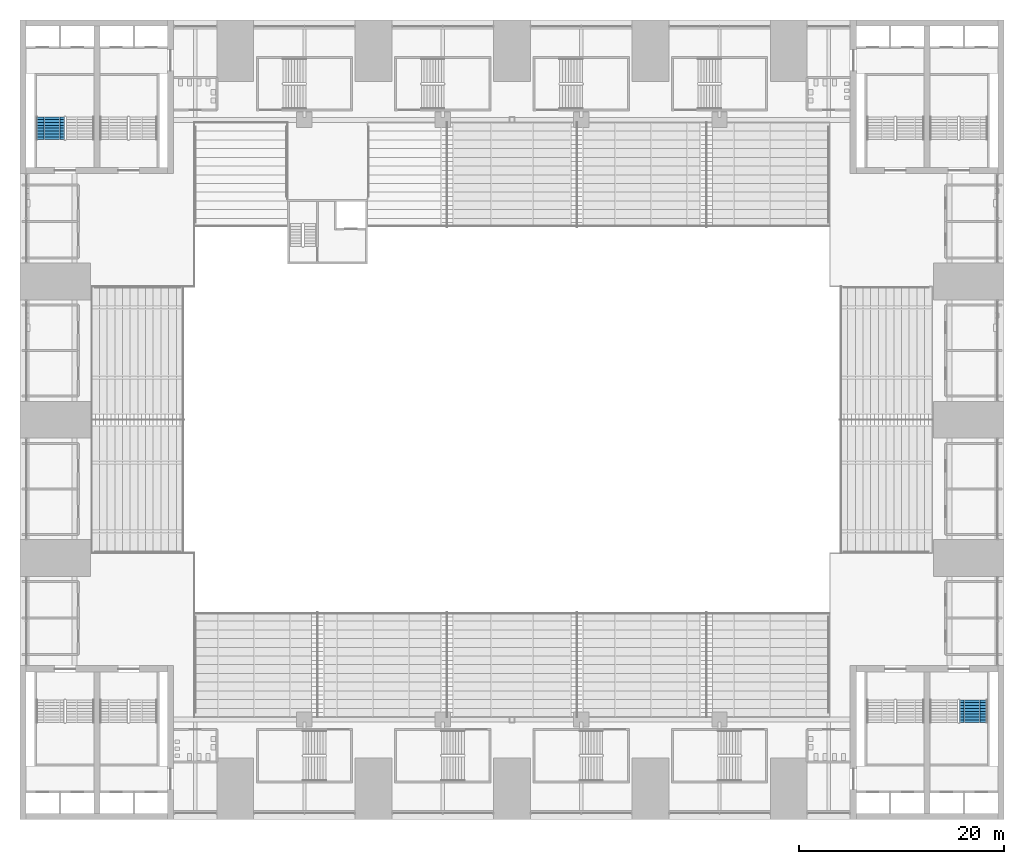
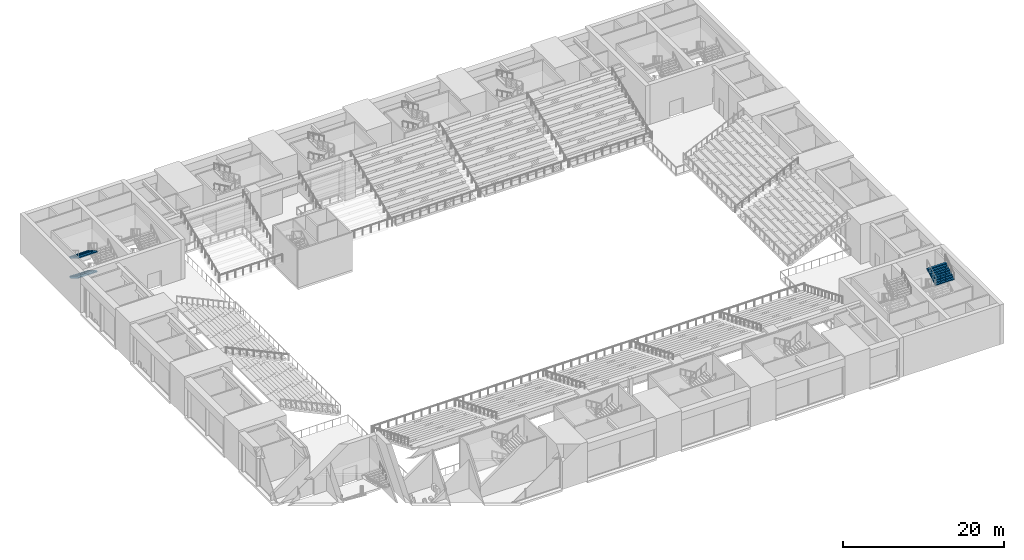
# One storey, part 42 of 61: 3 stair flights, 2 elements without a shape of their own.
"""IFC4 building model written with IfcOpenShell, lengths in metres."""

from ifc_helpers import new_model, si_unit, direction, frame, origin, place, context, subcontext, project, spatial, polyline, outline, extrude, material, type_object, element, aggregate, save


model = new_model("IFC4")

# Units and contexts
model_context = context("Model", 3, precision=1e-05, world=origin(), true_north=direction((0.0, 1.0)))
body_context = subcontext(model_context, "Body", "Model", "MODEL_VIEW")
ifc_project = project(units=[si_unit("LENGTHUNIT", "METRE"), si_unit("AREAUNIT", "SQUARE_METRE"), si_unit("VOLUMEUNIT", "CUBIC_METRE"), si_unit("PLANEANGLEUNIT", "RADIAN"), si_unit("MASSUNIT", "GRAM", prefix="KILO")], contexts=[model_context])

# Site, building, storey
site_placement = place(None, origin())
site = spatial("IfcSite", under=ifc_project, at=site_placement, CompositionType="ELEMENT")
building_placement = place(site_placement, origin())
building = spatial("IfcBuilding", under=site, at=building_placement, Name="Corbelhall Arena Tower", CompositionType="ELEMENT")
storey_placement = place(building_placement, frame((0.0, 0.0, 31.0)))
storey = spatial("IfcBuildingStorey", under=building, at=storey_placement, Name="L04", CompositionType="ELEMENT", Elevation=31.0)

# Stair, stair flights
ifc_material = material(Name="Reinforced concrete C40/50", Category="concrete")
stair_type = type_object("IfcStairType", Name="AR-EXIT-STAIR", PredefinedType="HALF_TURN_STAIR", material=ifc_material)
stair_1_placement = place(storey_placement, origin())
stair_1 = element("IfcStair", 1, at=stair_1_placement, inside=storey, type_object=stair_type, Name="L04 exit stair AS4", PredefinedType="HALF_TURN_STAIR")
stair_flight_type = type_object("IfcStairFlightType", Name="AR-EXIT-FLIGHT", PredefinedType="STRAIGHT", material=ifc_material)
stair_flight_1_placement = place(storey_placement, frame((-45.030029296875, 29.56005859375, 1.5), z_axis=(0.0, 0.0, 1.0), x_axis=(0.0, -1.0, 0.0)))
stair_flight_1 = element("IfcStairFlight", 2, at=stair_flight_1_placement, type_object=stair_flight_type, Name="AS4 flight 2", NumberOfRisers=9, NumberOfTreads=8, PredefinedType="STRAIGHT", RiserHeight=0.166666667, TreadLength=0.28, context=body_context, shape_type="SweptSolid", body=[
    extrude(outline(polyline([(0.0, 0.0), (0.0, 0.166748046875), (0.280029296875, 0.166748046875), (0.280029296875, 0.333251953125), (0.56005859375, 0.333251953125), (0.56005859375, 0.5), (0.840087890625, 0.5), (0.840087890625, 0.666748046875), (1.1201171875, 0.666748046875), (1.1201171875, 0.833251953125), (1.39990234375, 0.833251953125), (1.39990234375, 1.0), (1.679931640625, 1.0), (1.679931640625, 1.166748046875), (1.9599609375, 1.166748046875), (1.9599609375, 1.333251953125), (2.239990234375, 1.333251953125), (2.239990234375, 1.5), (2.239990234375, 1.158935546875), (0.29296875, 0.0), (0.0, 0.0)])), frame((0.0, 1.35986328125, 0.0), z_axis=(0.0, -1.0, 0.0), x_axis=(1.0, 0.0, 0.0)), (0.0, 0.0, 1.0), 0.449951171875),
    extrude(outline(polyline([(0.0, 0.0), (0.0, 0.166748046875), (0.280029296875, 0.166748046875), (0.280029296875, 0.333251953125), (0.56005859375, 0.333251953125), (0.56005859375, 0.5), (0.840087890625, 0.5), (0.840087890625, 0.666748046875), (1.1201171875, 0.666748046875), (1.1201171875, 0.833251953125), (1.39990234375, 0.833251953125), (1.39990234375, 1.0), (1.679931640625, 1.0), (1.679931640625, 1.166748046875), (1.9599609375, 1.166748046875), (1.9599609375, 1.333251953125), (2.239990234375, 1.333251953125), (2.239990234375, 1.5), (2.239990234375, 1.158935546875), (0.29296875, 0.0), (0.0, 0.0)])), frame((0.0, 0.906005859375, 0.0), z_axis=(0.0, -1.0, 0.0), x_axis=(1.0, 0.0, 0.0)), (0.0, 0.0, 1.0), 0.147216796875),
    extrude(outline(polyline([(0.0, 0.0), (0.0, 0.166748046875), (0.280029296875, 0.166748046875), (0.280029296875, 0.333251953125), (0.56005859375, 0.333251953125), (0.56005859375, 0.5), (0.840087890625, 0.5), (0.840087890625, 0.666748046875), (1.1201171875, 0.666748046875), (1.1201171875, 0.833251953125), (1.39990234375, 0.833251953125), (1.39990234375, 1.0), (1.679931640625, 1.0), (1.679931640625, 1.166748046875), (1.9599609375, 1.166748046875), (1.9599609375, 1.333251953125), (2.239990234375, 1.333251953125), (2.239990234375, 1.5), (2.239990234375, 1.158935546875), (0.29296875, 0.0), (0.0, 0.0)])), frame((0.0, 0.754638671875, 0.0), z_axis=(0.0, -1.0, 0.0), x_axis=(1.0, 0.0, 0.0)), (0.0, 0.0, 1.0), 0.147216796875),
    extrude(outline(polyline([(0.0, 0.0), (0.0, 0.166748046875), (0.280029296875, 0.166748046875), (0.280029296875, 0.333251953125), (0.56005859375, 0.333251953125), (0.56005859375, 0.5), (0.840087890625, 0.5), (0.840087890625, 0.666748046875), (1.1201171875, 0.666748046875), (1.1201171875, 0.833251953125), (1.39990234375, 0.833251953125), (1.39990234375, 1.0), (1.679931640625, 1.0), (1.679931640625, 1.166748046875), (1.9599609375, 1.166748046875), (1.9599609375, 1.333251953125), (2.239990234375, 1.333251953125), (2.239990234375, 1.5), (2.239990234375, 1.158935546875), (0.29296875, 0.0), (0.0, 0.0)])), frame((0.0, 0.603271484375, 0.0), z_axis=(0.0, -1.0, 0.0), x_axis=(1.0, 0.0, 0.0)), (0.0, 0.0, 1.0), 0.147216796875),
    extrude(outline(polyline([(0.0, 0.0), (0.0, 0.166748046875), (0.280029296875, 0.166748046875), (0.280029296875, 0.333251953125), (0.56005859375, 0.333251953125), (0.56005859375, 0.5), (0.840087890625, 0.5), (0.840087890625, 0.666748046875), (1.1201171875, 0.666748046875), (1.1201171875, 0.833251953125), (1.39990234375, 0.833251953125), (1.39990234375, 1.0), (1.679931640625, 1.0), (1.679931640625, 1.166748046875), (1.9599609375, 1.166748046875), (1.9599609375, 1.333251953125), (2.239990234375, 1.333251953125), (2.239990234375, 1.5), (2.239990234375, 1.158935546875), (0.29296875, 0.0), (0.0, 0.0)])), frame((0.0, 0.451904296875, 0.0), z_axis=(0.0, -1.0, 0.0), x_axis=(1.0, 0.0, 0.0)), (0.0, 0.0, 1.0), 0.147216796875),
    extrude(outline(polyline([(0.0, 0.0), (0.0, 0.166748046875), (0.280029296875, 0.166748046875), (0.280029296875, 0.333251953125), (0.56005859375, 0.333251953125), (0.56005859375, 0.5), (0.840087890625, 0.5), (0.840087890625, 0.666748046875), (1.1201171875, 0.666748046875), (1.1201171875, 0.833251953125), (1.39990234375, 0.833251953125), (1.39990234375, 1.0), (1.679931640625, 1.0), (1.679931640625, 1.166748046875), (1.9599609375, 1.166748046875), (1.9599609375, 1.333251953125), (2.239990234375, 1.333251953125), (2.239990234375, 1.5), (2.239990234375, 1.158935546875), (0.29296875, 0.0), (0.0, 0.0)])), frame((0.0, 0.30078125, 0.0), z_axis=(0.0, -1.0, 0.0), x_axis=(1.0, 0.0, 0.0)), (0.0, 0.0, 1.0), 0.147216796875),
    extrude(outline(polyline([(0.0, 0.0), (0.0, 0.166748046875), (0.280029296875, 0.166748046875), (0.280029296875, 0.333251953125), (0.56005859375, 0.333251953125), (0.56005859375, 0.5), (0.840087890625, 0.5), (0.840087890625, 0.666748046875), (1.1201171875, 0.666748046875), (1.1201171875, 0.833251953125), (1.39990234375, 0.833251953125), (1.39990234375, 1.0), (1.679931640625, 1.0), (1.679931640625, 1.166748046875), (1.9599609375, 1.166748046875), (1.9599609375, 1.333251953125), (2.239990234375, 1.333251953125), (2.239990234375, 1.5), (2.239990234375, 1.158935546875), (0.29296875, 0.0), (0.0, 0.0)])), frame((0.0, 0.1494140625, 0.0), z_axis=(0.0, -1.0, 0.0), x_axis=(1.0, 0.0, 0.0)), (0.0, 0.0, 1.0), 0.147216796875),
    extrude(outline(polyline([(0.0, 0.0), (0.0, 0.166748046875), (0.280029296875, 0.166748046875), (0.280029296875, 0.333251953125), (0.56005859375, 0.333251953125), (0.56005859375, 0.5), (0.840087890625, 0.5), (0.840087890625, 0.666748046875), (1.1201171875, 0.666748046875), (1.1201171875, 0.833251953125), (1.39990234375, 0.833251953125), (1.39990234375, 1.0), (1.679931640625, 1.0), (1.679931640625, 1.166748046875), (1.9599609375, 1.166748046875), (1.9599609375, 1.333251953125), (2.239990234375, 1.333251953125), (2.239990234375, 1.5), (2.239990234375, 1.158935546875), (0.29296875, 0.0), (0.0, 0.0)])), frame((0.0, -0.001953125, 0.0), z_axis=(0.0, -1.0, 0.0), x_axis=(1.0, 0.0, 0.0)), (0.0, 0.0, 1.0), 0.147216796875),
    extrude(outline(polyline([(0.0, 0.0), (0.0, 0.166748046875), (0.280029296875, 0.166748046875), (0.280029296875, 0.333251953125), (0.56005859375, 0.333251953125), (0.56005859375, 0.5), (0.840087890625, 0.5), (0.840087890625, 0.666748046875), (1.1201171875, 0.666748046875), (1.1201171875, 0.833251953125), (1.39990234375, 0.833251953125), (1.39990234375, 1.0), (1.679931640625, 1.0), (1.679931640625, 1.166748046875), (1.9599609375, 1.166748046875), (1.9599609375, 1.333251953125), (2.239990234375, 1.333251953125), (2.239990234375, 1.5), (2.239990234375, 1.158935546875), (0.29296875, 0.0), (0.0, 0.0)])), frame((0.0, -0.1533203125, 0.0), z_axis=(0.0, -1.0, 0.0), x_axis=(1.0, 0.0, 0.0)), (0.0, 0.0, 1.0), 0.147216796875),
    extrude(outline(polyline([(0.0, 0.0), (0.0, 0.166748046875), (0.280029296875, 0.166748046875), (0.280029296875, 0.333251953125), (0.56005859375, 0.333251953125), (0.56005859375, 0.5), (0.840087890625, 0.5), (0.840087890625, 0.666748046875), (1.1201171875, 0.666748046875), (1.1201171875, 0.833251953125), (1.39990234375, 0.833251953125), (1.39990234375, 1.0), (1.679931640625, 1.0), (1.679931640625, 1.166748046875), (1.9599609375, 1.166748046875), (1.9599609375, 1.333251953125), (2.239990234375, 1.333251953125), (2.239990234375, 1.5), (2.239990234375, 1.158935546875), (0.29296875, 0.0), (0.0, 0.0)])), frame((0.0, -0.3046875, 0.0), z_axis=(0.0, -1.0, 0.0), x_axis=(1.0, 0.0, 0.0)), (0.0, 0.0, 1.0), 0.147216796875),
    extrude(outline(polyline([(0.0, 0.0), (0.0, 0.166748046875), (0.280029296875, 0.166748046875), (0.280029296875, 0.333251953125), (0.56005859375, 0.333251953125), (0.56005859375, 0.5), (0.840087890625, 0.5), (0.840087890625, 0.666748046875), (1.1201171875, 0.666748046875), (1.1201171875, 0.833251953125), (1.39990234375, 0.833251953125), (1.39990234375, 1.0), (1.679931640625, 1.0), (1.679931640625, 1.166748046875), (1.9599609375, 1.166748046875), (1.9599609375, 1.333251953125), (2.239990234375, 1.333251953125), (2.239990234375, 1.5), (2.239990234375, 1.158935546875), (0.29296875, 0.0), (0.0, 0.0)])), frame((0.0, -0.4560546875, 0.0), z_axis=(0.0, -1.0, 0.0), x_axis=(1.0, 0.0, 0.0)), (0.0, 0.0, 1.0), 0.147216796875),
    extrude(outline(polyline([(0.0, 0.0), (0.0, 0.166748046875), (0.280029296875, 0.166748046875), (0.280029296875, 0.333251953125), (0.56005859375, 0.333251953125), (0.56005859375, 0.5), (0.840087890625, 0.5), (0.840087890625, 0.666748046875), (1.1201171875, 0.666748046875), (1.1201171875, 0.833251953125), (1.39990234375, 0.833251953125), (1.39990234375, 1.0), (1.679931640625, 1.0), (1.679931640625, 1.166748046875), (1.9599609375, 1.166748046875), (1.9599609375, 1.333251953125), (2.239990234375, 1.333251953125), (2.239990234375, 1.5), (2.239990234375, 1.158935546875), (0.29296875, 0.0), (0.0, 0.0)])), frame((0.0, -0.607421875, 0.0), z_axis=(0.0, -1.0, 0.0), x_axis=(1.0, 0.0, 0.0)), (0.0, 0.0, 1.0), 0.147216796875),
    extrude(outline(polyline([(0.0, 0.0), (0.0, 0.166748046875), (0.280029296875, 0.166748046875), (0.280029296875, 0.333251953125), (0.56005859375, 0.333251953125), (0.56005859375, 0.5), (0.840087890625, 0.5), (0.840087890625, 0.666748046875), (1.1201171875, 0.666748046875), (1.1201171875, 0.833251953125), (1.39990234375, 0.833251953125), (1.39990234375, 1.0), (1.679931640625, 1.0), (1.679931640625, 1.166748046875), (1.9599609375, 1.166748046875), (1.9599609375, 1.333251953125), (2.239990234375, 1.333251953125), (2.239990234375, 1.5), (2.239990234375, 1.158935546875), (0.29296875, 0.0), (0.0, 0.0)])), frame((0.0, -0.758544921875, 0.0), z_axis=(0.0, -1.0, 0.0), x_axis=(1.0, 0.0, 0.0)), (0.0, 0.0, 1.0), 0.147216796875),
    extrude(outline(polyline([(0.0, 0.0), (0.0, 0.166748046875), (0.280029296875, 0.166748046875), (0.280029296875, 0.333251953125), (0.56005859375, 0.333251953125), (0.56005859375, 0.5), (0.840087890625, 0.5), (0.840087890625, 0.666748046875), (1.1201171875, 0.666748046875), (1.1201171875, 0.833251953125), (1.39990234375, 0.833251953125), (1.39990234375, 1.0), (1.679931640625, 1.0), (1.679931640625, 1.166748046875), (1.9599609375, 1.166748046875), (1.9599609375, 1.333251953125), (2.239990234375, 1.333251953125), (2.239990234375, 1.5), (2.239990234375, 1.158935546875), (0.29296875, 0.0), (0.0, 0.0)])), frame((0.0, -0.909912109375, 0.0), z_axis=(0.0, -1.0, 0.0), x_axis=(1.0, 0.0, 0.0)), (0.0, 0.0, 1.0), 0.449951171875),
])
stair_flight_2_placement = place(storey_placement, frame((-45.030029296875, 29.56005859375, 4.5), z_axis=(0.0, 0.0, 1.0), x_axis=(0.0, -1.0, 0.0)))
stair_flight_2 = element("IfcStairFlight", 3, at=stair_flight_2_placement, type_object=stair_flight_type, Name="AS4 flight 4", NumberOfRisers=9, NumberOfTreads=8, PredefinedType="STRAIGHT", RiserHeight=0.166666667, TreadLength=0.28, context=body_context, shape_type="SweptSolid", body=[
    extrude(outline(polyline([(0.0, 0.0), (0.0, 0.166748046875), (0.280029296875, 0.166748046875), (0.280029296875, 0.333251953125), (0.56005859375, 0.333251953125), (0.56005859375, 0.5), (0.840087890625, 0.5), (0.840087890625, 0.666748046875), (1.1201171875, 0.666748046875), (1.1201171875, 0.833251953125), (1.39990234375, 0.833251953125), (1.39990234375, 1.0), (1.679931640625, 1.0), (1.679931640625, 1.166748046875), (1.9599609375, 1.166748046875), (1.9599609375, 1.333251953125), (2.239990234375, 1.333251953125), (2.239990234375, 1.5), (2.239990234375, 1.158935546875), (0.29296875, 0.0), (0.0, 0.0)])), frame((0.0, 1.35986328125, 0.0), z_axis=(0.0, -1.0, 0.0), x_axis=(1.0, 0.0, 0.0)), (0.0, 0.0, 1.0), 0.449951171875),
    extrude(outline(polyline([(0.0, 0.0), (0.0, 0.166748046875), (0.280029296875, 0.166748046875), (0.280029296875, 0.333251953125), (0.56005859375, 0.333251953125), (0.56005859375, 0.5), (0.840087890625, 0.5), (0.840087890625, 0.666748046875), (1.1201171875, 0.666748046875), (1.1201171875, 0.833251953125), (1.39990234375, 0.833251953125), (1.39990234375, 1.0), (1.679931640625, 1.0), (1.679931640625, 1.166748046875), (1.9599609375, 1.166748046875), (1.9599609375, 1.333251953125), (2.239990234375, 1.333251953125), (2.239990234375, 1.5), (2.239990234375, 1.158935546875), (0.29296875, 0.0), (0.0, 0.0)])), frame((0.0, 0.906005859375, 0.0), z_axis=(0.0, -1.0, 0.0), x_axis=(1.0, 0.0, 0.0)), (0.0, 0.0, 1.0), 0.147216796875),
    extrude(outline(polyline([(0.0, 0.0), (0.0, 0.166748046875), (0.280029296875, 0.166748046875), (0.280029296875, 0.333251953125), (0.56005859375, 0.333251953125), (0.56005859375, 0.5), (0.840087890625, 0.5), (0.840087890625, 0.666748046875), (1.1201171875, 0.666748046875), (1.1201171875, 0.833251953125), (1.39990234375, 0.833251953125), (1.39990234375, 1.0), (1.679931640625, 1.0), (1.679931640625, 1.166748046875), (1.9599609375, 1.166748046875), (1.9599609375, 1.333251953125), (2.239990234375, 1.333251953125), (2.239990234375, 1.5), (2.239990234375, 1.158935546875), (0.29296875, 0.0), (0.0, 0.0)])), frame((0.0, 0.754638671875, 0.0), z_axis=(0.0, -1.0, 0.0), x_axis=(1.0, 0.0, 0.0)), (0.0, 0.0, 1.0), 0.147216796875),
    extrude(outline(polyline([(0.0, 0.0), (0.0, 0.166748046875), (0.280029296875, 0.166748046875), (0.280029296875, 0.333251953125), (0.56005859375, 0.333251953125), (0.56005859375, 0.5), (0.840087890625, 0.5), (0.840087890625, 0.666748046875), (1.1201171875, 0.666748046875), (1.1201171875, 0.833251953125), (1.39990234375, 0.833251953125), (1.39990234375, 1.0), (1.679931640625, 1.0), (1.679931640625, 1.166748046875), (1.9599609375, 1.166748046875), (1.9599609375, 1.333251953125), (2.239990234375, 1.333251953125), (2.239990234375, 1.5), (2.239990234375, 1.158935546875), (0.29296875, 0.0), (0.0, 0.0)])), frame((0.0, 0.603271484375, 0.0), z_axis=(0.0, -1.0, 0.0), x_axis=(1.0, 0.0, 0.0)), (0.0, 0.0, 1.0), 0.147216796875),
    extrude(outline(polyline([(0.0, 0.0), (0.0, 0.166748046875), (0.280029296875, 0.166748046875), (0.280029296875, 0.333251953125), (0.56005859375, 0.333251953125), (0.56005859375, 0.5), (0.840087890625, 0.5), (0.840087890625, 0.666748046875), (1.1201171875, 0.666748046875), (1.1201171875, 0.833251953125), (1.39990234375, 0.833251953125), (1.39990234375, 1.0), (1.679931640625, 1.0), (1.679931640625, 1.166748046875), (1.9599609375, 1.166748046875), (1.9599609375, 1.333251953125), (2.239990234375, 1.333251953125), (2.239990234375, 1.5), (2.239990234375, 1.158935546875), (0.29296875, 0.0), (0.0, 0.0)])), frame((0.0, 0.451904296875, 0.0), z_axis=(0.0, -1.0, 0.0), x_axis=(1.0, 0.0, 0.0)), (0.0, 0.0, 1.0), 0.147216796875),
    extrude(outline(polyline([(0.0, 0.0), (0.0, 0.166748046875), (0.280029296875, 0.166748046875), (0.280029296875, 0.333251953125), (0.56005859375, 0.333251953125), (0.56005859375, 0.5), (0.840087890625, 0.5), (0.840087890625, 0.666748046875), (1.1201171875, 0.666748046875), (1.1201171875, 0.833251953125), (1.39990234375, 0.833251953125), (1.39990234375, 1.0), (1.679931640625, 1.0), (1.679931640625, 1.166748046875), (1.9599609375, 1.166748046875), (1.9599609375, 1.333251953125), (2.239990234375, 1.333251953125), (2.239990234375, 1.5), (2.239990234375, 1.158935546875), (0.29296875, 0.0), (0.0, 0.0)])), frame((0.0, 0.30078125, 0.0), z_axis=(0.0, -1.0, 0.0), x_axis=(1.0, 0.0, 0.0)), (0.0, 0.0, 1.0), 0.147216796875),
    extrude(outline(polyline([(0.0, 0.0), (0.0, 0.166748046875), (0.280029296875, 0.166748046875), (0.280029296875, 0.333251953125), (0.56005859375, 0.333251953125), (0.56005859375, 0.5), (0.840087890625, 0.5), (0.840087890625, 0.666748046875), (1.1201171875, 0.666748046875), (1.1201171875, 0.833251953125), (1.39990234375, 0.833251953125), (1.39990234375, 1.0), (1.679931640625, 1.0), (1.679931640625, 1.166748046875), (1.9599609375, 1.166748046875), (1.9599609375, 1.333251953125), (2.239990234375, 1.333251953125), (2.239990234375, 1.5), (2.239990234375, 1.158935546875), (0.29296875, 0.0), (0.0, 0.0)])), frame((0.0, 0.1494140625, 0.0), z_axis=(0.0, -1.0, 0.0), x_axis=(1.0, 0.0, 0.0)), (0.0, 0.0, 1.0), 0.147216796875),
    extrude(outline(polyline([(0.0, 0.0), (0.0, 0.166748046875), (0.280029296875, 0.166748046875), (0.280029296875, 0.333251953125), (0.56005859375, 0.333251953125), (0.56005859375, 0.5), (0.840087890625, 0.5), (0.840087890625, 0.666748046875), (1.1201171875, 0.666748046875), (1.1201171875, 0.833251953125), (1.39990234375, 0.833251953125), (1.39990234375, 1.0), (1.679931640625, 1.0), (1.679931640625, 1.166748046875), (1.9599609375, 1.166748046875), (1.9599609375, 1.333251953125), (2.239990234375, 1.333251953125), (2.239990234375, 1.5), (2.239990234375, 1.158935546875), (0.29296875, 0.0), (0.0, 0.0)])), frame((0.0, -0.001953125, 0.0), z_axis=(0.0, -1.0, 0.0), x_axis=(1.0, 0.0, 0.0)), (0.0, 0.0, 1.0), 0.147216796875),
    extrude(outline(polyline([(0.0, 0.0), (0.0, 0.166748046875), (0.280029296875, 0.166748046875), (0.280029296875, 0.333251953125), (0.56005859375, 0.333251953125), (0.56005859375, 0.5), (0.840087890625, 0.5), (0.840087890625, 0.666748046875), (1.1201171875, 0.666748046875), (1.1201171875, 0.833251953125), (1.39990234375, 0.833251953125), (1.39990234375, 1.0), (1.679931640625, 1.0), (1.679931640625, 1.166748046875), (1.9599609375, 1.166748046875), (1.9599609375, 1.333251953125), (2.239990234375, 1.333251953125), (2.239990234375, 1.5), (2.239990234375, 1.158935546875), (0.29296875, 0.0), (0.0, 0.0)])), frame((0.0, -0.1533203125, 0.0), z_axis=(0.0, -1.0, 0.0), x_axis=(1.0, 0.0, 0.0)), (0.0, 0.0, 1.0), 0.147216796875),
    extrude(outline(polyline([(0.0, 0.0), (0.0, 0.166748046875), (0.280029296875, 0.166748046875), (0.280029296875, 0.333251953125), (0.56005859375, 0.333251953125), (0.56005859375, 0.5), (0.840087890625, 0.5), (0.840087890625, 0.666748046875), (1.1201171875, 0.666748046875), (1.1201171875, 0.833251953125), (1.39990234375, 0.833251953125), (1.39990234375, 1.0), (1.679931640625, 1.0), (1.679931640625, 1.166748046875), (1.9599609375, 1.166748046875), (1.9599609375, 1.333251953125), (2.239990234375, 1.333251953125), (2.239990234375, 1.5), (2.239990234375, 1.158935546875), (0.29296875, 0.0), (0.0, 0.0)])), frame((0.0, -0.3046875, 0.0), z_axis=(0.0, -1.0, 0.0), x_axis=(1.0, 0.0, 0.0)), (0.0, 0.0, 1.0), 0.147216796875),
    extrude(outline(polyline([(0.0, 0.0), (0.0, 0.166748046875), (0.280029296875, 0.166748046875), (0.280029296875, 0.333251953125), (0.56005859375, 0.333251953125), (0.56005859375, 0.5), (0.840087890625, 0.5), (0.840087890625, 0.666748046875), (1.1201171875, 0.666748046875), (1.1201171875, 0.833251953125), (1.39990234375, 0.833251953125), (1.39990234375, 1.0), (1.679931640625, 1.0), (1.679931640625, 1.166748046875), (1.9599609375, 1.166748046875), (1.9599609375, 1.333251953125), (2.239990234375, 1.333251953125), (2.239990234375, 1.5), (2.239990234375, 1.158935546875), (0.29296875, 0.0), (0.0, 0.0)])), frame((0.0, -0.4560546875, 0.0), z_axis=(0.0, -1.0, 0.0), x_axis=(1.0, 0.0, 0.0)), (0.0, 0.0, 1.0), 0.147216796875),
    extrude(outline(polyline([(0.0, 0.0), (0.0, 0.166748046875), (0.280029296875, 0.166748046875), (0.280029296875, 0.333251953125), (0.56005859375, 0.333251953125), (0.56005859375, 0.5), (0.840087890625, 0.5), (0.840087890625, 0.666748046875), (1.1201171875, 0.666748046875), (1.1201171875, 0.833251953125), (1.39990234375, 0.833251953125), (1.39990234375, 1.0), (1.679931640625, 1.0), (1.679931640625, 1.166748046875), (1.9599609375, 1.166748046875), (1.9599609375, 1.333251953125), (2.239990234375, 1.333251953125), (2.239990234375, 1.5), (2.239990234375, 1.158935546875), (0.29296875, 0.0), (0.0, 0.0)])), frame((0.0, -0.607421875, 0.0), z_axis=(0.0, -1.0, 0.0), x_axis=(1.0, 0.0, 0.0)), (0.0, 0.0, 1.0), 0.147216796875),
    extrude(outline(polyline([(0.0, 0.0), (0.0, 0.166748046875), (0.280029296875, 0.166748046875), (0.280029296875, 0.333251953125), (0.56005859375, 0.333251953125), (0.56005859375, 0.5), (0.840087890625, 0.5), (0.840087890625, 0.666748046875), (1.1201171875, 0.666748046875), (1.1201171875, 0.833251953125), (1.39990234375, 0.833251953125), (1.39990234375, 1.0), (1.679931640625, 1.0), (1.679931640625, 1.166748046875), (1.9599609375, 1.166748046875), (1.9599609375, 1.333251953125), (2.239990234375, 1.333251953125), (2.239990234375, 1.5), (2.239990234375, 1.158935546875), (0.29296875, 0.0), (0.0, 0.0)])), frame((0.0, -0.758544921875, 0.0), z_axis=(0.0, -1.0, 0.0), x_axis=(1.0, 0.0, 0.0)), (0.0, 0.0, 1.0), 0.147216796875),
    extrude(outline(polyline([(0.0, 0.0), (0.0, 0.166748046875), (0.280029296875, 0.166748046875), (0.280029296875, 0.333251953125), (0.56005859375, 0.333251953125), (0.56005859375, 0.5), (0.840087890625, 0.5), (0.840087890625, 0.666748046875), (1.1201171875, 0.666748046875), (1.1201171875, 0.833251953125), (1.39990234375, 0.833251953125), (1.39990234375, 1.0), (1.679931640625, 1.0), (1.679931640625, 1.166748046875), (1.9599609375, 1.166748046875), (1.9599609375, 1.333251953125), (2.239990234375, 1.333251953125), (2.239990234375, 1.5), (2.239990234375, 1.158935546875), (0.29296875, 0.0), (0.0, 0.0)])), frame((0.0, -0.909912109375, 0.0), z_axis=(0.0, -1.0, 0.0), x_axis=(1.0, 0.0, 0.0)), (0.0, 0.0, 1.0), 0.449951171875),
])
aggregate(stair_1, [stair_flight_1, stair_flight_2])

# Stair, stair flight
stair_2_placement = place(storey_placement, origin())
stair_2 = element("IfcStair", 4, at=stair_2_placement, inside=storey, type_object=stair_type, Name="L04 exit stair AS6", PredefinedType="HALF_TURN_STAIR")
stair_flight_3_placement = place(storey_placement, frame((45.030029296875, -29.56005859375, 4.5), z_axis=(0.0, 0.0, 1.0), x_axis=(0.0, 1.0, 0.0)))
stair_flight_3 = element("IfcStairFlight", 5, at=stair_flight_3_placement, type_object=stair_flight_type, Name="AS6 flight 4", NumberOfRisers=9, NumberOfTreads=8, PredefinedType="STRAIGHT", RiserHeight=0.166666667, TreadLength=0.28, context=body_context, shape_type="SweptSolid", body=[
    extrude(outline(polyline([(0.0, 0.0), (0.0, 0.166748046875), (0.280029296875, 0.166748046875), (0.280029296875, 0.333251953125), (0.56005859375, 0.333251953125), (0.56005859375, 0.5), (0.840087890625, 0.5), (0.840087890625, 0.666748046875), (1.1201171875, 0.666748046875), (1.1201171875, 0.833251953125), (1.39990234375, 0.833251953125), (1.39990234375, 1.0), (1.679931640625, 1.0), (1.679931640625, 1.166748046875), (1.9599609375, 1.166748046875), (1.9599609375, 1.333251953125), (2.239990234375, 1.333251953125), (2.239990234375, 1.5), (2.239990234375, 1.158935546875), (0.29296875, 0.0), (0.0, 0.0)])), frame((0.0, 1.35986328125, 0.0), z_axis=(0.0, -1.0, 0.0), x_axis=(1.0, 0.0, 0.0)), (0.0, 0.0, 1.0), 0.449951171875),
    extrude(outline(polyline([(0.0, 0.0), (0.0, 0.166748046875), (0.280029296875, 0.166748046875), (0.280029296875, 0.333251953125), (0.56005859375, 0.333251953125), (0.56005859375, 0.5), (0.840087890625, 0.5), (0.840087890625, 0.666748046875), (1.1201171875, 0.666748046875), (1.1201171875, 0.833251953125), (1.39990234375, 0.833251953125), (1.39990234375, 1.0), (1.679931640625, 1.0), (1.679931640625, 1.166748046875), (1.9599609375, 1.166748046875), (1.9599609375, 1.333251953125), (2.239990234375, 1.333251953125), (2.239990234375, 1.5), (2.239990234375, 1.158935546875), (0.29296875, 0.0), (0.0, 0.0)])), frame((0.0, 0.906005859375, 0.0), z_axis=(0.0, -1.0, 0.0), x_axis=(1.0, 0.0, 0.0)), (0.0, 0.0, 1.0), 0.147216796875),
    extrude(outline(polyline([(0.0, 0.0), (0.0, 0.166748046875), (0.280029296875, 0.166748046875), (0.280029296875, 0.333251953125), (0.56005859375, 0.333251953125), (0.56005859375, 0.5), (0.840087890625, 0.5), (0.840087890625, 0.666748046875), (1.1201171875, 0.666748046875), (1.1201171875, 0.833251953125), (1.39990234375, 0.833251953125), (1.39990234375, 1.0), (1.679931640625, 1.0), (1.679931640625, 1.166748046875), (1.9599609375, 1.166748046875), (1.9599609375, 1.333251953125), (2.239990234375, 1.333251953125), (2.239990234375, 1.5), (2.239990234375, 1.158935546875), (0.29296875, 0.0), (0.0, 0.0)])), frame((0.0, 0.754638671875, 0.0), z_axis=(0.0, -1.0, 0.0), x_axis=(1.0, 0.0, 0.0)), (0.0, 0.0, 1.0), 0.147216796875),
    extrude(outline(polyline([(0.0, 0.0), (0.0, 0.166748046875), (0.280029296875, 0.166748046875), (0.280029296875, 0.333251953125), (0.56005859375, 0.333251953125), (0.56005859375, 0.5), (0.840087890625, 0.5), (0.840087890625, 0.666748046875), (1.1201171875, 0.666748046875), (1.1201171875, 0.833251953125), (1.39990234375, 0.833251953125), (1.39990234375, 1.0), (1.679931640625, 1.0), (1.679931640625, 1.166748046875), (1.9599609375, 1.166748046875), (1.9599609375, 1.333251953125), (2.239990234375, 1.333251953125), (2.239990234375, 1.5), (2.239990234375, 1.158935546875), (0.29296875, 0.0), (0.0, 0.0)])), frame((0.0, 0.603271484375, 0.0), z_axis=(0.0, -1.0, 0.0), x_axis=(1.0, 0.0, 0.0)), (0.0, 0.0, 1.0), 0.147216796875),
    extrude(outline(polyline([(0.0, 0.0), (0.0, 0.166748046875), (0.280029296875, 0.166748046875), (0.280029296875, 0.333251953125), (0.56005859375, 0.333251953125), (0.56005859375, 0.5), (0.840087890625, 0.5), (0.840087890625, 0.666748046875), (1.1201171875, 0.666748046875), (1.1201171875, 0.833251953125), (1.39990234375, 0.833251953125), (1.39990234375, 1.0), (1.679931640625, 1.0), (1.679931640625, 1.166748046875), (1.9599609375, 1.166748046875), (1.9599609375, 1.333251953125), (2.239990234375, 1.333251953125), (2.239990234375, 1.5), (2.239990234375, 1.158935546875), (0.29296875, 0.0), (0.0, 0.0)])), frame((0.0, 0.451904296875, 0.0), z_axis=(0.0, -1.0, 0.0), x_axis=(1.0, 0.0, 0.0)), (0.0, 0.0, 1.0), 0.147216796875),
    extrude(outline(polyline([(0.0, 0.0), (0.0, 0.166748046875), (0.280029296875, 0.166748046875), (0.280029296875, 0.333251953125), (0.56005859375, 0.333251953125), (0.56005859375, 0.5), (0.840087890625, 0.5), (0.840087890625, 0.666748046875), (1.1201171875, 0.666748046875), (1.1201171875, 0.833251953125), (1.39990234375, 0.833251953125), (1.39990234375, 1.0), (1.679931640625, 1.0), (1.679931640625, 1.166748046875), (1.9599609375, 1.166748046875), (1.9599609375, 1.333251953125), (2.239990234375, 1.333251953125), (2.239990234375, 1.5), (2.239990234375, 1.158935546875), (0.29296875, 0.0), (0.0, 0.0)])), frame((0.0, 0.30078125, 0.0), z_axis=(0.0, -1.0, 0.0), x_axis=(1.0, 0.0, 0.0)), (0.0, 0.0, 1.0), 0.147216796875),
    extrude(outline(polyline([(0.0, 0.0), (0.0, 0.166748046875), (0.280029296875, 0.166748046875), (0.280029296875, 0.333251953125), (0.56005859375, 0.333251953125), (0.56005859375, 0.5), (0.840087890625, 0.5), (0.840087890625, 0.666748046875), (1.1201171875, 0.666748046875), (1.1201171875, 0.833251953125), (1.39990234375, 0.833251953125), (1.39990234375, 1.0), (1.679931640625, 1.0), (1.679931640625, 1.166748046875), (1.9599609375, 1.166748046875), (1.9599609375, 1.333251953125), (2.239990234375, 1.333251953125), (2.239990234375, 1.5), (2.239990234375, 1.158935546875), (0.29296875, 0.0), (0.0, 0.0)])), frame((0.0, 0.1494140625, 0.0), z_axis=(0.0, -1.0, 0.0), x_axis=(1.0, 0.0, 0.0)), (0.0, 0.0, 1.0), 0.147216796875),
    extrude(outline(polyline([(0.0, 0.0), (0.0, 0.166748046875), (0.280029296875, 0.166748046875), (0.280029296875, 0.333251953125), (0.56005859375, 0.333251953125), (0.56005859375, 0.5), (0.840087890625, 0.5), (0.840087890625, 0.666748046875), (1.1201171875, 0.666748046875), (1.1201171875, 0.833251953125), (1.39990234375, 0.833251953125), (1.39990234375, 1.0), (1.679931640625, 1.0), (1.679931640625, 1.166748046875), (1.9599609375, 1.166748046875), (1.9599609375, 1.333251953125), (2.239990234375, 1.333251953125), (2.239990234375, 1.5), (2.239990234375, 1.158935546875), (0.29296875, 0.0), (0.0, 0.0)])), frame((0.0, -0.001953125, 0.0), z_axis=(0.0, -1.0, 0.0), x_axis=(1.0, 0.0, 0.0)), (0.0, 0.0, 1.0), 0.147216796875),
    extrude(outline(polyline([(0.0, 0.0), (0.0, 0.166748046875), (0.280029296875, 0.166748046875), (0.280029296875, 0.333251953125), (0.56005859375, 0.333251953125), (0.56005859375, 0.5), (0.840087890625, 0.5), (0.840087890625, 0.666748046875), (1.1201171875, 0.666748046875), (1.1201171875, 0.833251953125), (1.39990234375, 0.833251953125), (1.39990234375, 1.0), (1.679931640625, 1.0), (1.679931640625, 1.166748046875), (1.9599609375, 1.166748046875), (1.9599609375, 1.333251953125), (2.239990234375, 1.333251953125), (2.239990234375, 1.5), (2.239990234375, 1.158935546875), (0.29296875, 0.0), (0.0, 0.0)])), frame((0.0, -0.1533203125, 0.0), z_axis=(0.0, -1.0, 0.0), x_axis=(1.0, 0.0, 0.0)), (0.0, 0.0, 1.0), 0.147216796875),
    extrude(outline(polyline([(0.0, 0.0), (0.0, 0.166748046875), (0.280029296875, 0.166748046875), (0.280029296875, 0.333251953125), (0.56005859375, 0.333251953125), (0.56005859375, 0.5), (0.840087890625, 0.5), (0.840087890625, 0.666748046875), (1.1201171875, 0.666748046875), (1.1201171875, 0.833251953125), (1.39990234375, 0.833251953125), (1.39990234375, 1.0), (1.679931640625, 1.0), (1.679931640625, 1.166748046875), (1.9599609375, 1.166748046875), (1.9599609375, 1.333251953125), (2.239990234375, 1.333251953125), (2.239990234375, 1.5), (2.239990234375, 1.158935546875), (0.29296875, 0.0), (0.0, 0.0)])), frame((0.0, -0.3046875, 0.0), z_axis=(0.0, -1.0, 0.0), x_axis=(1.0, 0.0, 0.0)), (0.0, 0.0, 1.0), 0.147216796875),
    extrude(outline(polyline([(0.0, 0.0), (0.0, 0.166748046875), (0.280029296875, 0.166748046875), (0.280029296875, 0.333251953125), (0.56005859375, 0.333251953125), (0.56005859375, 0.5), (0.840087890625, 0.5), (0.840087890625, 0.666748046875), (1.1201171875, 0.666748046875), (1.1201171875, 0.833251953125), (1.39990234375, 0.833251953125), (1.39990234375, 1.0), (1.679931640625, 1.0), (1.679931640625, 1.166748046875), (1.9599609375, 1.166748046875), (1.9599609375, 1.333251953125), (2.239990234375, 1.333251953125), (2.239990234375, 1.5), (2.239990234375, 1.158935546875), (0.29296875, 0.0), (0.0, 0.0)])), frame((0.0, -0.4560546875, 0.0), z_axis=(0.0, -1.0, 0.0), x_axis=(1.0, 0.0, 0.0)), (0.0, 0.0, 1.0), 0.147216796875),
    extrude(outline(polyline([(0.0, 0.0), (0.0, 0.166748046875), (0.280029296875, 0.166748046875), (0.280029296875, 0.333251953125), (0.56005859375, 0.333251953125), (0.56005859375, 0.5), (0.840087890625, 0.5), (0.840087890625, 0.666748046875), (1.1201171875, 0.666748046875), (1.1201171875, 0.833251953125), (1.39990234375, 0.833251953125), (1.39990234375, 1.0), (1.679931640625, 1.0), (1.679931640625, 1.166748046875), (1.9599609375, 1.166748046875), (1.9599609375, 1.333251953125), (2.239990234375, 1.333251953125), (2.239990234375, 1.5), (2.239990234375, 1.158935546875), (0.29296875, 0.0), (0.0, 0.0)])), frame((0.0, -0.607421875, 0.0), z_axis=(0.0, -1.0, 0.0), x_axis=(1.0, 0.0, 0.0)), (0.0, 0.0, 1.0), 0.147216796875),
    extrude(outline(polyline([(0.0, 0.0), (0.0, 0.166748046875), (0.280029296875, 0.166748046875), (0.280029296875, 0.333251953125), (0.56005859375, 0.333251953125), (0.56005859375, 0.5), (0.840087890625, 0.5), (0.840087890625, 0.666748046875), (1.1201171875, 0.666748046875), (1.1201171875, 0.833251953125), (1.39990234375, 0.833251953125), (1.39990234375, 1.0), (1.679931640625, 1.0), (1.679931640625, 1.166748046875), (1.9599609375, 1.166748046875), (1.9599609375, 1.333251953125), (2.239990234375, 1.333251953125), (2.239990234375, 1.5), (2.239990234375, 1.158935546875), (0.29296875, 0.0), (0.0, 0.0)])), frame((0.0, -0.758544921875, 0.0), z_axis=(0.0, -1.0, 0.0), x_axis=(1.0, 0.0, 0.0)), (0.0, 0.0, 1.0), 0.147216796875),
    extrude(outline(polyline([(0.0, 0.0), (0.0, 0.166748046875), (0.280029296875, 0.166748046875), (0.280029296875, 0.333251953125), (0.56005859375, 0.333251953125), (0.56005859375, 0.5), (0.840087890625, 0.5), (0.840087890625, 0.666748046875), (1.1201171875, 0.666748046875), (1.1201171875, 0.833251953125), (1.39990234375, 0.833251953125), (1.39990234375, 1.0), (1.679931640625, 1.0), (1.679931640625, 1.166748046875), (1.9599609375, 1.166748046875), (1.9599609375, 1.333251953125), (2.239990234375, 1.333251953125), (2.239990234375, 1.5), (2.239990234375, 1.158935546875), (0.29296875, 0.0), (0.0, 0.0)])), frame((0.0, -0.909912109375, 0.0), z_axis=(0.0, -1.0, 0.0), x_axis=(1.0, 0.0, 0.0)), (0.0, 0.0, 1.0), 0.449951171875),
])
aggregate(stair_2, [stair_flight_3])

save(model, "model.ifc")
